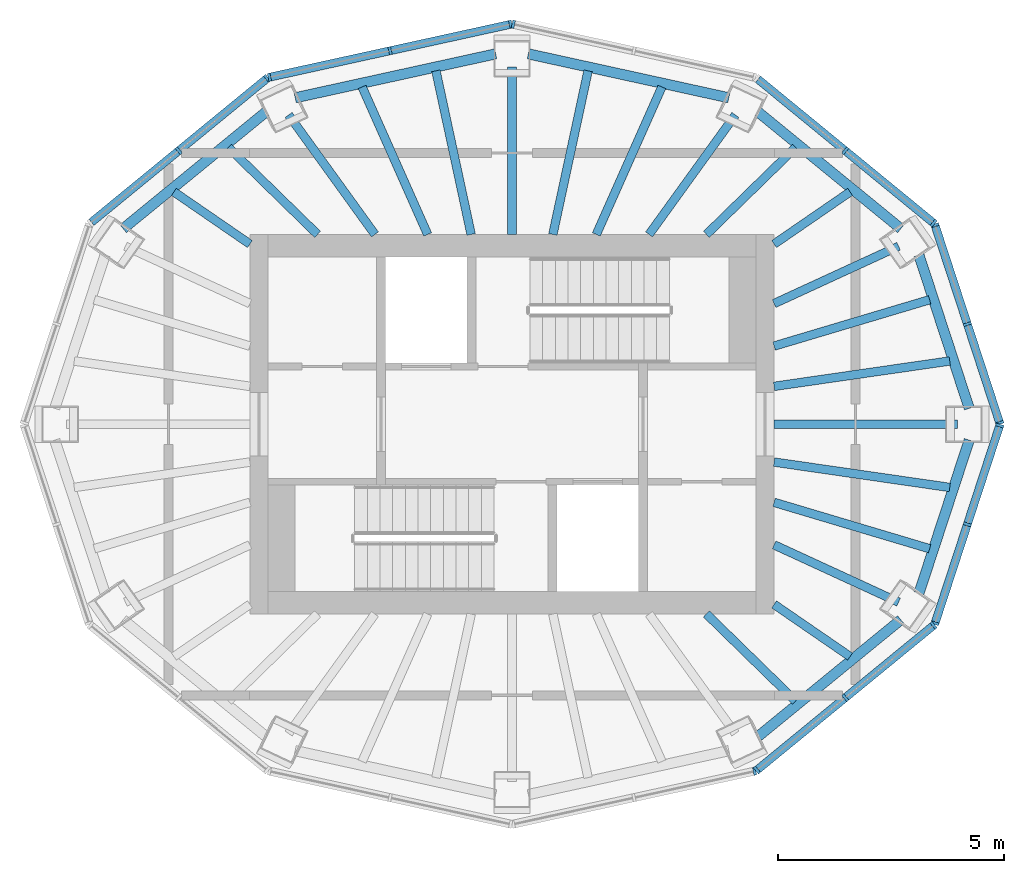
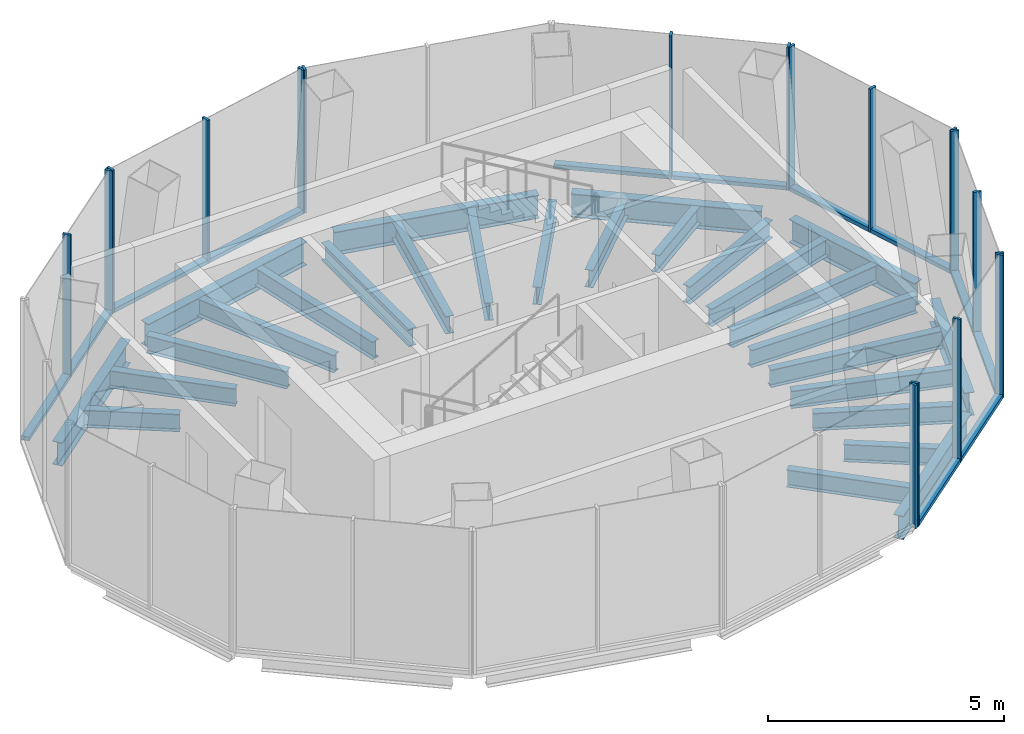
# One storey, part 2 of 5: 30 members, 27 beams, 8 elements without a shape of their own.
"""IFC4 building model written with IfcOpenShell, lengths in metres."""

from ifc_helpers import new_model, si_unit, direction, frame, origin, origin_2d, place, context, subcontext, project, spatial, rectangle, i_section, extrude, material, layer, layer_set, material_profile, profile_set, type_object, element, aggregate, save


model = new_model("IFC4")

# Units and contexts
model_context = context("Model", 3, precision=1e-05, world=origin(), true_north=direction((0.0, 1.0)))
body_context = subcontext(model_context, "Body", "Model", "MODEL_VIEW")
ifc_project = project(units=[si_unit("LENGTHUNIT", "METRE"), si_unit("AREAUNIT", "SQUARE_METRE"), si_unit("VOLUMEUNIT", "CUBIC_METRE"), si_unit("PLANEANGLEUNIT", "RADIAN"), si_unit("MASSUNIT", "GRAM", prefix="KILO")], contexts=[model_context])

# Site, building, storey
site_placement = place(None, origin())
site = spatial("IfcSite", under=ifc_project, at=site_placement, CompositionType="ELEMENT")
building_placement = place(site_placement, origin())
building = spatial("IfcBuilding", under=site, at=building_placement, Name="Siaravel Broadcast Tower", CompositionType="ELEMENT")
storey_placement = place(building_placement, frame((0.0, 0.0, 288.199951171875)))
storey = spatial("IfcBuildingStorey", under=building, at=storey_placement, Name="L70", CompositionType="ELEMENT", Elevation=288.199951171875)

# Curtain wall, members
ifc_material_1 = material(Name="Aluminium 6063-T6", Category="aluminium")
ifc_layer = layer(ifc_material_1, 0.179931640625)
ifc_layer_set = layer_set([ifc_layer], Name="Aluminium 6063-T6")
curtain_wall_type = type_object("IfcCurtainWallType", Name="Crown glass facet wall", PredefinedType="NOTDEFINED", material=ifc_layer_set)
curtain_wall_1_placement = place(storey_placement, origin())
curtain_wall_1 = element("IfcCurtainWall", 1, at=curtain_wall_1_placement, inside=storey, type_object=curtain_wall_type, Name="L70 Crown glass facet wall 01", PredefinedType="NOTDEFINED")
ifc_material_profile_1 = material_profile(ifc_material_1, rectangle(XDim=0.179931640625, YDim=0.06005859375, at=origin_2d()))
ifc_profile_set_1 = profile_set([ifc_material_profile_1], Name="Aluminium 6063-T6")
member_type_1 = type_object("IfcMemberType", Name="CW-CR mullion", PredefinedType="MULLION", material=ifc_profile_set_1)
member_1_placement = place(storey_placement, frame((10.79248046875, 0.028564453125, 0.0), z_axis=(0.0, 0.0, 1.0), x_axis=(-0.950457945, -0.310853173, 0.0)))
member_1 = element("IfcMember", 2, at=member_1_placement, type_object=member_type_1, Name="CW-CR mullion 1", PredefinedType="MULLION", context=body_context, shape_type="SweptSolid", body=[
    extrude(rectangle(XDim=0.179931640625, YDim=0.06005859375, at=origin_2d()), origin(), (0.0, 0.0, 1.0), 3.699951171875),
])
member_2_placement = place(storey_placement, frame((10.0771484375, 2.21630859375, 0.0), z_axis=(0.0, 0.0, 1.0), x_axis=(-0.950457945, -0.310853173, 0.0)))
member_2 = element("IfcMember", 3, at=member_2_placement, type_object=member_type_1, Name="CW-CR mullion 2", PredefinedType="MULLION", context=body_context, shape_type="SweptSolid", body=[
    extrude(rectangle(XDim=0.179931640625, YDim=0.06005859375, at=origin_2d()), origin(), (0.0, 0.0, 1.0), 3.699951171875),
])
member_3_placement = place(storey_placement, frame((9.361572265625, 4.40380859375, 0.0), z_axis=(0.0, 0.0, 1.0), x_axis=(-0.950457945, -0.310853173, 0.0)))
member_3 = element("IfcMember", 4, at=member_3_placement, type_object=member_type_1, Name="CW-CR mullion 3", PredefinedType="MULLION", context=body_context, shape_type="SweptSolid", body=[
    extrude(rectangle(XDim=0.179931640625, YDim=0.06005859375, at=origin_2d()), origin(), (0.0, 0.0, 1.0), 3.699951171875),
])

curtain_wall_2_placement = place(storey_placement, origin())
curtain_wall_2 = element("IfcCurtainWall", 5, at=curtain_wall_2_placement, inside=storey, type_object=curtain_wall_type, Name="L70 Crown glass facet wall 02", PredefinedType="NOTDEFINED")
member_4_placement = place(storey_placement, frame((9.3291015625, 4.451416015625, 0.0), z_axis=(0.0, 0.0, 1.0), x_axis=(-0.633718382, -0.773563838, 0.0)))
member_4 = element("IfcMember", 6, at=member_4_placement, type_object=member_type_1, Name="CW-CR mullion 1", PredefinedType="MULLION", context=body_context, shape_type="SweptSolid", body=[
    extrude(rectangle(XDim=0.179931640625, YDim=0.06005859375, at=origin_2d()), origin(), (0.0, 0.0, 1.0), 3.699951171875),
])
member_5_placement = place(storey_placement, frame((7.374755859375, 6.05224609375, 0.0), z_axis=(0.0, 0.0, 1.0), x_axis=(-0.633718382, -0.773563838, 0.0)))
member_5 = element("IfcMember", 7, at=member_5_placement, type_object=member_type_1, Name="CW-CR mullion 2", PredefinedType="MULLION", context=body_context, shape_type="SweptSolid", body=[
    extrude(rectangle(XDim=0.179931640625, YDim=0.06005859375, at=origin_2d()), origin(), (0.0, 0.0, 1.0), 3.699951171875),
])

# Curtain wall, member
curtain_wall_3_placement = place(storey_placement, origin())
curtain_wall_3 = element("IfcCurtainWall", 8, at=curtain_wall_3_placement, inside=storey, type_object=curtain_wall_type, Name="L70 Crown glass facet wall 03", PredefinedType="NOTDEFINED")
member_6_placement = place(storey_placement, frame((0.029296875, 8.8505859375, 0.0), z_axis=(0.0, 0.0, 1.0), x_axis=(-0.214396084, -0.976746804, 0.0)))
member_6 = element("IfcMember", 9, at=member_6_placement, type_object=member_type_1, Name="CW-CR mullion 3", PredefinedType="MULLION", context=body_context, shape_type="SweptSolid", body=[
    extrude(rectangle(XDim=0.179931640625, YDim=0.06005859375, at=origin_2d()), origin(), (0.0, 0.0, 1.0), 3.699951171875),
])
aggregate(curtain_wall_3, [member_6])

# Curtain wall, members
curtain_wall_4_placement = place(storey_placement, origin())
curtain_wall_4 = element("IfcCurtainWall", 10, at=curtain_wall_4_placement, inside=storey, type_object=curtain_wall_type, Name="L70 Crown glass facet wall 04", PredefinedType="NOTDEFINED")
member_7_placement = place(storey_placement, frame((-0.029296875, 8.8505859375, 0.0), z_axis=(0.0, 0.0, 1.0), x_axis=(0.214396084, -0.976746804, 0.0)))
member_7 = element("IfcMember", 11, at=member_7_placement, type_object=member_type_1, Name="CW-CR mullion 1", PredefinedType="MULLION", context=body_context, shape_type="SweptSolid", body=[
    extrude(rectangle(XDim=0.179931640625, YDim=0.06005859375, at=origin_2d()), origin(), (0.0, 0.0, 1.0), 3.699951171875),
])
member_8_placement = place(storey_placement, frame((-2.69873046875, 8.2646484375, 0.0), z_axis=(0.0, 0.0, 1.0), x_axis=(0.214396084, -0.976746804, 0.0)))
member_8 = element("IfcMember", 12, at=member_8_placement, type_object=member_type_1, Name="CW-CR mullion 2", PredefinedType="MULLION", context=body_context, shape_type="SweptSolid", body=[
    extrude(rectangle(XDim=0.179931640625, YDim=0.06005859375, at=origin_2d()), origin(), (0.0, 0.0, 1.0), 3.699951171875),
])
member_9_placement = place(storey_placement, frame((-5.367919921875, 7.6787109375, 0.0), z_axis=(0.0, 0.0, 1.0), x_axis=(0.214396084, -0.976746804, 0.0)))
member_9 = element("IfcMember", 13, at=member_9_placement, type_object=member_type_1, Name="CW-CR mullion 3", PredefinedType="MULLION", context=body_context, shape_type="SweptSolid", body=[
    extrude(rectangle(XDim=0.179931640625, YDim=0.06005859375, at=origin_2d()), origin(), (0.0, 0.0, 1.0), 3.699951171875),
])

curtain_wall_5_placement = place(storey_placement, origin())
curtain_wall_5 = element("IfcCurtainWall", 14, at=curtain_wall_5_placement, inside=storey, type_object=curtain_wall_type, Name="L70 Crown glass facet wall 05", PredefinedType="NOTDEFINED")
member_10_placement = place(storey_placement, frame((-5.42041015625, 7.6533203125, 0.0), z_axis=(0.0, 0.0, 1.0), x_axis=(0.633718382, -0.773563838, 0.0)))
member_10 = element("IfcMember", 15, at=member_10_placement, type_object=member_type_1, Name="CW-CR mullion 1", PredefinedType="MULLION", context=body_context, shape_type="SweptSolid", body=[
    extrude(rectangle(XDim=0.179931640625, YDim=0.06005859375, at=origin_2d()), origin(), (0.0, 0.0, 1.0), 3.699951171875),
])
member_11_placement = place(storey_placement, frame((-7.374755859375, 6.05224609375, 0.0), z_axis=(0.0, 0.0, 1.0), x_axis=(0.633718382, -0.773563838, 0.0)))
member_11 = element("IfcMember", 16, at=member_11_placement, type_object=member_type_1, Name="CW-CR mullion 2", PredefinedType="MULLION", context=body_context, shape_type="SweptSolid", body=[
    extrude(rectangle(XDim=0.179931640625, YDim=0.06005859375, at=origin_2d()), origin(), (0.0, 0.0, 1.0), 3.699951171875),
])

# Curtain wall, member
curtain_wall_6_placement = place(storey_placement, origin())
curtain_wall_6 = element("IfcCurtainWall", 17, at=curtain_wall_6_placement, inside=storey, type_object=curtain_wall_type, Name="L70 Crown glass facet wall 10", PredefinedType="NOTDEFINED")
member_12_placement = place(storey_placement, frame((5.367919921875, -7.6787109375, 0.0), z_axis=(0.0, 0.0, 1.0), x_axis=(-0.214396084, 0.976746804, 0.0)))
member_12 = element("IfcMember", 18, at=member_12_placement, type_object=member_type_1, Name="CW-CR mullion 3", PredefinedType="MULLION", context=body_context, shape_type="SweptSolid", body=[
    extrude(rectangle(XDim=0.179931640625, YDim=0.06005859375, at=origin_2d()), origin(), (0.0, 0.0, 1.0), 3.699951171875),
])
aggregate(curtain_wall_6, [member_12])

# Curtain wall, members
curtain_wall_7_placement = place(storey_placement, origin())
curtain_wall_7 = element("IfcCurtainWall", 19, at=curtain_wall_7_placement, inside=storey, type_object=curtain_wall_type, Name="L70 Crown glass facet wall 11", PredefinedType="NOTDEFINED")
member_13_placement = place(storey_placement, frame((5.42041015625, -7.6533203125, 0.0), z_axis=(0.0, 0.0, 1.0), x_axis=(-0.633718382, 0.773563838, 0.0)))
member_13 = element("IfcMember", 20, at=member_13_placement, type_object=member_type_1, Name="CW-CR mullion 1", PredefinedType="MULLION", context=body_context, shape_type="SweptSolid", body=[
    extrude(rectangle(XDim=0.179931640625, YDim=0.06005859375, at=origin_2d()), origin(), (0.0, 0.0, 1.0), 3.699951171875),
])
member_14_placement = place(storey_placement, frame((7.374755859375, -6.05224609375, 0.0), z_axis=(0.0, 0.0, 1.0), x_axis=(-0.633718382, 0.773563838, 0.0)))
member_14 = element("IfcMember", 21, at=member_14_placement, type_object=member_type_1, Name="CW-CR mullion 2", PredefinedType="MULLION", context=body_context, shape_type="SweptSolid", body=[
    extrude(rectangle(XDim=0.179931640625, YDim=0.06005859375, at=origin_2d()), origin(), (0.0, 0.0, 1.0), 3.699951171875),
])
member_15_placement = place(storey_placement, frame((9.3291015625, -4.451416015625, 0.0), z_axis=(0.0, 0.0, 1.0), x_axis=(-0.633718382, 0.773563838, 0.0)))
member_15 = element("IfcMember", 22, at=member_15_placement, type_object=member_type_1, Name="CW-CR mullion 3", PredefinedType="MULLION", context=body_context, shape_type="SweptSolid", body=[
    extrude(rectangle(XDim=0.179931640625, YDim=0.06005859375, at=origin_2d()), origin(), (0.0, 0.0, 1.0), 3.699951171875),
])

curtain_wall_8_placement = place(storey_placement, origin())
curtain_wall_8 = element("IfcCurtainWall", 23, at=curtain_wall_8_placement, inside=storey, type_object=curtain_wall_type, Name="L70 Crown glass facet wall 12", PredefinedType="NOTDEFINED")
member_16_placement = place(storey_placement, frame((9.361572265625, -4.40380859375, 0.0), z_axis=(0.0, 0.0, 1.0), x_axis=(-0.950457945, 0.310853173, 0.0)))
member_16 = element("IfcMember", 24, at=member_16_placement, type_object=member_type_1, Name="CW-CR mullion 1", PredefinedType="MULLION", context=body_context, shape_type="SweptSolid", body=[
    extrude(rectangle(XDim=0.179931640625, YDim=0.06005859375, at=origin_2d()), origin(), (0.0, 0.0, 1.0), 3.699951171875),
])
member_17_placement = place(storey_placement, frame((10.0771484375, -2.21630859375, 0.0), z_axis=(0.0, 0.0, 1.0), x_axis=(-0.950457945, 0.310853173, 0.0)))
member_17 = element("IfcMember", 25, at=member_17_placement, type_object=member_type_1, Name="CW-CR mullion 2", PredefinedType="MULLION", context=body_context, shape_type="SweptSolid", body=[
    extrude(rectangle(XDim=0.179931640625, YDim=0.06005859375, at=origin_2d()), origin(), (0.0, 0.0, 1.0), 3.699951171875),
])
member_18_placement = place(storey_placement, frame((10.79248046875, -0.028564453125, 0.0), z_axis=(0.0, 0.0, 1.0), x_axis=(-0.950457945, 0.310853173, 0.0)))
member_18 = element("IfcMember", 26, at=member_18_placement, type_object=member_type_1, Name="CW-CR mullion 3", PredefinedType="MULLION", context=body_context, shape_type="SweptSolid", body=[
    extrude(rectangle(XDim=0.179931640625, YDim=0.06005859375, at=origin_2d()), origin(), (0.0, 0.0, 1.0), 3.699951171875),
])

# Member
ifc_material_profile_2 = material_profile(ifc_material_1, rectangle(XDim=0.179931640625, YDim=0.10009765625, at=origin_2d()))
ifc_profile_set_2 = profile_set([ifc_material_profile_2], Name="Aluminium 6063-T6")
member_type_2 = type_object("IfcMemberType", Name="CW-CR transom", PredefinedType="USERDEFINED", material=ifc_profile_set_2)
member_19_placement = place(storey_placement, frame((10.783203125, 0.056884765625, 0.050048828125), z_axis=(-0.310831573, 0.950465009, 0.0), x_axis=(-0.950465009, -0.310831573, 0.0)))
member_19 = element("IfcMember", 27, at=member_19_placement, type_object=member_type_2, Name="CW-CR transom 1", ObjectType="TRANSOM", PredefinedType="USERDEFINED", context=body_context, shape_type="SweptSolid", body=[
    extrude(rectangle(XDim=0.179931640625, YDim=0.10009765625, at=origin_2d()), origin(), (0.0, 0.0, 1.0), 2.24169921875),
])

member_20_placement = place(storey_placement, frame((10.06787109375, 2.24462890625, 0.050048828125), z_axis=(-0.310929956, 0.950432829, 0.0), x_axis=(-0.950432829, -0.310929956, 0.0)))
member_20 = element("IfcMember", 28, at=member_20_placement, type_object=member_type_2, Name="CW-CR transom 2", ObjectType="TRANSOM", PredefinedType="USERDEFINED", context=body_context, shape_type="SweptSolid", body=[
    extrude(rectangle(XDim=0.179931640625, YDim=0.10009765625, at=origin_2d()), origin(), (0.0, 0.0, 1.0), 2.24169921875),
])

aggregate(curtain_wall_1, [member_1, member_2, member_3, member_19, member_20])

member_21_placement = place(storey_placement, frame((9.305908203125, 4.47021484375, 0.050048828125), z_axis=(-0.773573465, 0.633706631, 0.0), x_axis=(-0.633706631, -0.773573465, 0.0)))
member_21 = element("IfcMember", 29, at=member_21_placement, type_object=member_type_2, Name="CW-CR transom 1", ObjectType="TRANSOM", PredefinedType="USERDEFINED", context=body_context, shape_type="SweptSolid", body=[
    extrude(rectangle(XDim=0.179931640625, YDim=0.10009765625, at=origin_2d()), origin(), (0.0, 0.0, 1.0), 2.46630859375),
])

member_22_placement = place(storey_placement, frame((7.3515625, 6.0712890625, 0.050048828125), z_axis=(-0.773573465, 0.633706631, 0.0), x_axis=(-0.633706631, -0.773573465, 0.0)))
member_22 = element("IfcMember", 30, at=member_22_placement, type_object=member_type_2, Name="CW-CR transom 2", ObjectType="TRANSOM", PredefinedType="USERDEFINED", context=body_context, shape_type="SweptSolid", body=[
    extrude(rectangle(XDim=0.179931640625, YDim=0.10009765625, at=origin_2d()), origin(), (0.0, 0.0, 1.0), 2.46630859375),
])

aggregate(curtain_wall_2, [member_4, member_5, member_21, member_22])

member_23_placement = place(storey_placement, frame((-0.05859375, 8.843994140625, 0.050048828125), z_axis=(-0.976753206, -0.214366914, 0.0), x_axis=(0.214366914, -0.976753206, 0.0)))
member_23 = element("IfcMember", 31, at=member_23_placement, type_object=member_type_2, Name="CW-CR transom 1", ObjectType="TRANSOM", PredefinedType="USERDEFINED", context=body_context, shape_type="SweptSolid", body=[
    extrude(rectangle(XDim=0.179931640625, YDim=0.10009765625, at=origin_2d()), origin(), (0.0, 0.0, 1.0), 2.673095703125),
])

member_24_placement = place(storey_placement, frame((-2.72802734375, 8.25830078125, 0.050048828125), z_axis=(-0.976729877, -0.214473184, 0.0), x_axis=(0.214473184, -0.976729877, 0.0)))
member_24 = element("IfcMember", 32, at=member_24_placement, type_object=member_type_2, Name="CW-CR transom 2", ObjectType="TRANSOM", PredefinedType="USERDEFINED", context=body_context, shape_type="SweptSolid", body=[
    extrude(rectangle(XDim=0.179931640625, YDim=0.10009765625, at=origin_2d()), origin(), (0.0, 0.0, 1.0), 2.6728515625),
])

aggregate(curtain_wall_4, [member_7, member_8, member_9, member_23, member_24])

member_25_placement = place(storey_placement, frame((-5.443603515625, 7.63427734375, 0.050048828125), z_axis=(-0.773573465, -0.633706631, 0.0), x_axis=(0.633706631, -0.773573465, 0.0)))
member_25 = element("IfcMember", 33, at=member_25_placement, type_object=member_type_2, Name="CW-CR transom 1", ObjectType="TRANSOM", PredefinedType="USERDEFINED", context=body_context, shape_type="SweptSolid", body=[
    extrude(rectangle(XDim=0.179931640625, YDim=0.10009765625, at=origin_2d()), origin(), (0.0, 0.0, 1.0), 2.46630859375),
])

member_26_placement = place(storey_placement, frame((-7.39794921875, 6.033203125, 0.050048828125), z_axis=(-0.773573465, -0.633706631, 0.0), x_axis=(0.633706631, -0.773573465, 0.0)))
member_26 = element("IfcMember", 34, at=member_26_placement, type_object=member_type_2, Name="CW-CR transom 2", ObjectType="TRANSOM", PredefinedType="USERDEFINED", context=body_context, shape_type="SweptSolid", body=[
    extrude(rectangle(XDim=0.179931640625, YDim=0.10009765625, at=origin_2d()), origin(), (0.0, 0.0, 1.0), 2.46630859375),
])

aggregate(curtain_wall_5, [member_10, member_11, member_25, member_26])

member_27_placement = place(storey_placement, frame((5.443603515625, -7.63427734375, 0.050048828125), z_axis=(0.773573465, 0.633706631, 0.0), x_axis=(-0.633706631, 0.773573465, 0.0)))
member_27 = element("IfcMember", 35, at=member_27_placement, type_object=member_type_2, Name="CW-CR transom 1", ObjectType="TRANSOM", PredefinedType="USERDEFINED", context=body_context, shape_type="SweptSolid", body=[
    extrude(rectangle(XDim=0.179931640625, YDim=0.10009765625, at=origin_2d()), origin(), (0.0, 0.0, 1.0), 2.46630859375),
])

member_28_placement = place(storey_placement, frame((7.39794921875, -6.033203125, 0.050048828125), z_axis=(0.773573465, 0.633706631, 0.0), x_axis=(-0.633706631, 0.773573465, 0.0)))
member_28 = element("IfcMember", 36, at=member_28_placement, type_object=member_type_2, Name="CW-CR transom 2", ObjectType="TRANSOM", PredefinedType="USERDEFINED", context=body_context, shape_type="SweptSolid", body=[
    extrude(rectangle(XDim=0.179931640625, YDim=0.10009765625, at=origin_2d()), origin(), (0.0, 0.0, 1.0), 2.46630859375),
])

aggregate(curtain_wall_7, [member_13, member_14, member_15, member_27, member_28])

member_29_placement = place(storey_placement, frame((9.370849609375, -4.375244140625, 0.050048828125), z_axis=(0.310929956, 0.950432829, 0.0), x_axis=(-0.950432829, 0.310929956, 0.0)))
member_29 = element("IfcMember", 37, at=member_29_placement, type_object=member_type_2, Name="CW-CR transom 1", ObjectType="TRANSOM", PredefinedType="USERDEFINED", context=body_context, shape_type="SweptSolid", body=[
    extrude(rectangle(XDim=0.179931640625, YDim=0.10009765625, at=origin_2d()), origin(), (0.0, 0.0, 1.0), 2.24169921875),
])

member_30_placement = place(storey_placement, frame((10.08642578125, -2.1875, 0.050048828125), z_axis=(0.310831573, 0.950465009, 0.0), x_axis=(-0.950465009, 0.310831573, 0.0)))
member_30 = element("IfcMember", 38, at=member_30_placement, type_object=member_type_2, Name="CW-CR transom 2", ObjectType="TRANSOM", PredefinedType="USERDEFINED", context=body_context, shape_type="SweptSolid", body=[
    extrude(rectangle(XDim=0.179931640625, YDim=0.10009765625, at=origin_2d()), origin(), (0.0, 0.0, 1.0), 2.24169921875),
])

aggregate(curtain_wall_8, [member_16, member_17, member_18, member_29, member_30])

# Beams
ifc_material_2 = material(Name="Steel S355", Category="steel")
ifc_material_profile_3 = material_profile(ifc_material_2, i_section(OverallWidth=0.18994140625, OverallDepth=0.453369140625, WebThickness=0.008544921875, FlangeThickness=0.0126953125, FilletRadius=0.01025390625, at=origin_2d()))
ifc_profile_set_3 = profile_set([ifc_material_profile_3], Name="Steel S355")
beam_type_1 = type_object("IfcBeamType", Name="Crown radial beam UB 457x191x67", PredefinedType="BEAM", material=ifc_profile_set_3)
beam_1_placement = place(storey_placement, frame((9.86279296875, 0.0, -0.4267578125), z_axis=(-1.0, 0.0, 0.0), x_axis=(0.0, -1.0, 0.0)))
element("IfcBeam", 39, at=beam_1_placement, inside=storey, type_object=beam_type_1, Name="Crown radial beam 5-01", PredefinedType="BEAM", context=body_context, shape_type="SweptSolid", body=[
    extrude(i_section(OverallWidth=0.18994140625, OverallDepth=0.453369140625, WebThickness=0.008544921875, FlangeThickness=0.0126953125, FilletRadius=0.01025390625, at=origin_2d()), origin(), (0.0, 0.0, 1.0), 4.062744140625),
])
beam_2_placement = place(storey_placement, frame((9.68701171875, 1.399169921875, -0.4267578125), z_axis=(-0.989725718, -0.142979031, 0.0), x_axis=(0.142979031, -0.989725718, 0.0)))
element("IfcBeam", 40, at=beam_2_placement, inside=storey, type_object=beam_type_1, Name="Crown radial beam 5-02", PredefinedType="BEAM", context=body_context, shape_type="SweptSolid", body=[
    extrude(i_section(OverallWidth=0.18994140625, OverallDepth=0.453369140625, WebThickness=0.008544921875, FlangeThickness=0.0126953125, FilletRadius=0.01025390625, at=origin_2d()), origin(), (0.0, 0.0, 1.0), 3.92724609375),
])
beam_3_placement = place(storey_placement, frame((9.2412109375, 2.755126953125, -0.4267578125), z_axis=(-0.95832075, -0.285694487, 0.0), x_axis=(0.285694487, -0.95832075, 0.0)))
element("IfcBeam", 41, at=beam_3_placement, inside=storey, type_object=beam_type_1, Name="Crown radial beam 5-03", PredefinedType="BEAM", context=body_context, shape_type="SweptSolid", body=[
    extrude(i_section(OverallWidth=0.18994140625, OverallDepth=0.453369140625, WebThickness=0.008544921875, FlangeThickness=0.0126953125, FilletRadius=0.01025390625, at=origin_2d()), origin(), (0.0, 0.0, 1.0), 3.5908203125),
])
beam_4_placement = place(storey_placement, frame((8.5546875, 3.9375, -0.4267578125), z_axis=(-0.908404234, -0.418092988, 0.0), x_axis=(0.418092988, -0.908404234, 0.0)))
element("IfcBeam", 42, at=beam_4_placement, inside=storey, type_object=beam_type_1, Name="Crown radial beam 5-04", PredefinedType="BEAM", context=body_context, shape_type="SweptSolid", body=[
    extrude(i_section(OverallWidth=0.18994140625, OverallDepth=0.453369140625, WebThickness=0.008544921875, FlangeThickness=0.0126953125, FilletRadius=0.01025390625, at=origin_2d()), origin(), (0.0, 0.0, 1.0), 3.032470703125),
])
beam_5_placement = place(storey_placement, frame((7.480712890625, 5.1416015625, -0.4267578125), z_axis=(-0.824083836, -0.566467855, 0.0), x_axis=(0.566467855, -0.824083836, 0.0)))
element("IfcBeam", 43, at=beam_5_placement, inside=storey, type_object=beam_type_1, Name="Crown radial beam 5-05", PredefinedType="BEAM", context=body_context, shape_type="SweptSolid", body=[
    extrude(i_section(OverallWidth=0.18994140625, OverallDepth=0.453369140625, WebThickness=0.008544921875, FlangeThickness=0.0126953125, FilletRadius=0.01025390625, at=origin_2d()), origin(), (0.0, 0.0, 1.0), 2.03955078125),
])
beam_6_placement = place(storey_placement, frame((6.27392578125, 6.12451171875, -0.4267578125), z_axis=(-0.715562605, -0.698548609, 0.0), x_axis=(0.698548609, -0.715562605, 0.0)))
element("IfcBeam", 44, at=beam_6_placement, inside=storey, type_object=beam_type_1, Name="Crown radial beam 5-06", PredefinedType="BEAM", context=body_context, shape_type="SweptSolid", body=[
    extrude(i_section(OverallWidth=0.18994140625, OverallDepth=0.453369140625, WebThickness=0.008544921875, FlangeThickness=0.0126953125, FilletRadius=0.01025390625, at=origin_2d()), origin(), (0.0, 0.0, 1.0), 2.755126953125),
])
beam_7_placement = place(storey_placement, frame((4.942626953125, 6.84375, -0.4267578125), z_axis=(-0.585444085, -0.810712787, 0.0), x_axis=(0.810712787, -0.585444085, 0.0)))
element("IfcBeam", 45, at=beam_7_placement, inside=storey, type_object=beam_type_1, Name="Crown radial beam 5-07", PredefinedType="BEAM", context=body_context, shape_type="SweptSolid", body=[
    extrude(i_section(OverallWidth=0.18994140625, OverallDepth=0.453369140625, WebThickness=0.008544921875, FlangeThickness=0.0126953125, FilletRadius=0.01025390625, at=origin_2d()), origin(), (0.0, 0.0, 1.0), 3.260986328125),
])
beam_8_placement = place(storey_placement, frame((3.31640625, 7.463623046875, -0.4267578125), z_axis=(-0.406062352, -0.913845373, 0.0), x_axis=(0.913845373, -0.406062352, 0.0)))
element("IfcBeam", 46, at=beam_8_placement, inside=storey, type_object=beam_type_1, Name="Crown radial beam 5-08", PredefinedType="BEAM", context=body_context, shape_type="SweptSolid", body=[
    extrude(i_section(OverallWidth=0.18994140625, OverallDepth=0.453369140625, WebThickness=0.008544921875, FlangeThickness=0.0126953125, FilletRadius=0.01025390625, at=origin_2d()), origin(), (0.0, 0.0, 1.0), 3.5712890625),
])
beam_9_placement = place(storey_placement, frame((1.683349609375, 7.81982421875, -0.4267578125), z_axis=(-0.210461074, -0.977602238, 0.0), x_axis=(0.977602238, -0.210461074, 0.0)))
element("IfcBeam", 47, at=beam_9_placement, inside=storey, type_object=beam_type_1, Name="Crown radial beam 5-09", PredefinedType="BEAM", context=body_context, shape_type="SweptSolid", body=[
    extrude(i_section(OverallWidth=0.18994140625, OverallDepth=0.453369140625, WebThickness=0.008544921875, FlangeThickness=0.0126953125, FilletRadius=0.01025390625, at=origin_2d()), origin(), (0.0, 0.0, 1.0), 3.702880859375),
])
beam_10_placement = place(storey_placement, frame((0.0, 7.90478515625, -0.4267578125), z_axis=(0.0, -1.0, 0.0), x_axis=(1.0, 0.0, 0.0)))
element("IfcBeam", 48, at=beam_10_placement, inside=storey, type_object=beam_type_1, Name="Crown radial beam 5-10", PredefinedType="BEAM", context=body_context, shape_type="SweptSolid", body=[
    extrude(i_section(OverallWidth=0.18994140625, OverallDepth=0.453369140625, WebThickness=0.008544921875, FlangeThickness=0.0126953125, FilletRadius=0.01025390625, at=origin_2d()), origin(), (0.0, 0.0, 1.0), 3.704833984375),
])
beam_11_placement = place(storey_placement, frame((-1.683349609375, 7.81982421875, -0.4267578125), z_axis=(0.210461074, -0.977602238, 0.0), x_axis=(0.977602238, 0.210461074, 0.0)))
element("IfcBeam", 49, at=beam_11_placement, inside=storey, type_object=beam_type_1, Name="Crown radial beam 5-11", PredefinedType="BEAM", context=body_context, shape_type="SweptSolid", body=[
    extrude(i_section(OverallWidth=0.18994140625, OverallDepth=0.453369140625, WebThickness=0.008544921875, FlangeThickness=0.0126953125, FilletRadius=0.01025390625, at=origin_2d()), origin(), (0.0, 0.0, 1.0), 3.702880859375),
])
beam_12_placement = place(storey_placement, frame((-3.31640625, 7.463623046875, -0.4267578125), z_axis=(0.406062352, -0.913845373, 0.0), x_axis=(0.913845373, 0.406062352, 0.0)))
element("IfcBeam", 50, at=beam_12_placement, inside=storey, type_object=beam_type_1, Name="Crown radial beam 5-12", PredefinedType="BEAM", context=body_context, shape_type="SweptSolid", body=[
    extrude(i_section(OverallWidth=0.18994140625, OverallDepth=0.453369140625, WebThickness=0.008544921875, FlangeThickness=0.0126953125, FilletRadius=0.01025390625, at=origin_2d()), origin(), (0.0, 0.0, 1.0), 3.5712890625),
])
beam_13_placement = place(storey_placement, frame((-4.942626953125, 6.84375, -0.4267578125), z_axis=(0.585444085, -0.810712787, 0.0), x_axis=(0.810712787, 0.585444085, 0.0)))
element("IfcBeam", 51, at=beam_13_placement, inside=storey, type_object=beam_type_1, Name="Crown radial beam 5-13", PredefinedType="BEAM", context=body_context, shape_type="SweptSolid", body=[
    extrude(i_section(OverallWidth=0.18994140625, OverallDepth=0.453369140625, WebThickness=0.008544921875, FlangeThickness=0.0126953125, FilletRadius=0.01025390625, at=origin_2d()), origin(), (0.0, 0.0, 1.0), 3.260986328125),
])
beam_14_placement = place(storey_placement, frame((-6.27392578125, 6.12451171875, -0.4267578125), z_axis=(0.715562605, -0.698548609, 0.0), x_axis=(0.698548609, 0.715562605, 0.0)))
element("IfcBeam", 52, at=beam_14_placement, inside=storey, type_object=beam_type_1, Name="Crown radial beam 5-14", PredefinedType="BEAM", context=body_context, shape_type="SweptSolid", body=[
    extrude(i_section(OverallWidth=0.18994140625, OverallDepth=0.453369140625, WebThickness=0.008544921875, FlangeThickness=0.0126953125, FilletRadius=0.01025390625, at=origin_2d()), origin(), (0.0, 0.0, 1.0), 2.755126953125),
])
beam_15_placement = place(storey_placement, frame((-7.480712890625, 5.1416015625, -0.4267578125), z_axis=(0.824083836, -0.566467855, 0.0), x_axis=(0.566467855, 0.824083836, 0.0)))
element("IfcBeam", 53, at=beam_15_placement, inside=storey, type_object=beam_type_1, Name="Crown radial beam 5-15", PredefinedType="BEAM", context=body_context, shape_type="SweptSolid", body=[
    extrude(i_section(OverallWidth=0.18994140625, OverallDepth=0.453369140625, WebThickness=0.008544921875, FlangeThickness=0.0126953125, FilletRadius=0.01025390625, at=origin_2d()), origin(), (0.0, 0.0, 1.0), 2.03955078125),
])
beam_16_placement = place(storey_placement, frame((6.27392578125, -6.12451171875, -0.4267578125), z_axis=(-0.715562605, 0.698548609, 0.0), x_axis=(-0.698548609, -0.715562605, 0.0)))
element("IfcBeam", 54, at=beam_16_placement, inside=storey, type_object=beam_type_1, Name="Crown radial beam 5-32", PredefinedType="BEAM", context=body_context, shape_type="SweptSolid", body=[
    extrude(i_section(OverallWidth=0.18994140625, OverallDepth=0.453369140625, WebThickness=0.008544921875, FlangeThickness=0.0126953125, FilletRadius=0.01025390625, at=origin_2d()), origin(), (0.0, 0.0, 1.0), 2.755126953125),
])
beam_17_placement = place(storey_placement, frame((7.480712890625, -5.1416015625, -0.4267578125), z_axis=(-0.824083836, 0.566467855, 0.0), x_axis=(-0.566467855, -0.824083836, 0.0)))
element("IfcBeam", 55, at=beam_17_placement, inside=storey, type_object=beam_type_1, Name="Crown radial beam 5-33", PredefinedType="BEAM", context=body_context, shape_type="SweptSolid", body=[
    extrude(i_section(OverallWidth=0.18994140625, OverallDepth=0.453369140625, WebThickness=0.008544921875, FlangeThickness=0.0126953125, FilletRadius=0.01025390625, at=origin_2d()), origin(), (0.0, 0.0, 1.0), 2.03955078125),
])
beam_18_placement = place(storey_placement, frame((8.5546875, -3.9375, -0.4267578125), z_axis=(-0.908404234, 0.418092988, 0.0), x_axis=(-0.418092988, -0.908404234, 0.0)))
element("IfcBeam", 56, at=beam_18_placement, inside=storey, type_object=beam_type_1, Name="Crown radial beam 5-34", PredefinedType="BEAM", context=body_context, shape_type="SweptSolid", body=[
    extrude(i_section(OverallWidth=0.18994140625, OverallDepth=0.453369140625, WebThickness=0.008544921875, FlangeThickness=0.0126953125, FilletRadius=0.01025390625, at=origin_2d()), origin(), (0.0, 0.0, 1.0), 3.032470703125),
])
beam_19_placement = place(storey_placement, frame((9.2412109375, -2.755126953125, -0.4267578125), z_axis=(-0.95832075, 0.285694487, 0.0), x_axis=(-0.285694487, -0.95832075, 0.0)))
element("IfcBeam", 57, at=beam_19_placement, inside=storey, type_object=beam_type_1, Name="Crown radial beam 5-35", PredefinedType="BEAM", context=body_context, shape_type="SweptSolid", body=[
    extrude(i_section(OverallWidth=0.18994140625, OverallDepth=0.453369140625, WebThickness=0.008544921875, FlangeThickness=0.0126953125, FilletRadius=0.01025390625, at=origin_2d()), origin(), (0.0, 0.0, 1.0), 3.5908203125),
])
beam_20_placement = place(storey_placement, frame((9.68701171875, -1.399169921875, -0.4267578125), z_axis=(-0.989725718, 0.142979031, 0.0), x_axis=(-0.142979031, -0.989725718, 0.0)))
element("IfcBeam", 58, at=beam_20_placement, inside=storey, type_object=beam_type_1, Name="Crown radial beam 5-36", PredefinedType="BEAM", context=body_context, shape_type="SweptSolid", body=[
    extrude(i_section(OverallWidth=0.18994140625, OverallDepth=0.453369140625, WebThickness=0.008544921875, FlangeThickness=0.0126953125, FilletRadius=0.01025390625, at=origin_2d()), origin(), (0.0, 0.0, 1.0), 3.92724609375),
])
ifc_material_profile_4 = material_profile(ifc_material_2, i_section(OverallWidth=0.2275390625, OverallDepth=0.6025390625, WebThickness=0.010498046875, FlangeThickness=0.014892578125, FilletRadius=0.0126953125, at=origin_2d()))
ifc_profile_set_4 = profile_set([ifc_material_profile_4], Name="Steel S355")
beam_type_2 = type_object("IfcBeamType", Name="Crown ring beam UB 610x229x101", PredefinedType="SPANDREL", material=ifc_profile_set_4)
beam_21_placement = place(storey_placement, frame((10.117431640625, 0.3515625, -0.501220703125), z_axis=(-0.311583092, 0.95021891, 0.0), x_axis=(-0.95021891, -0.311583092, 0.0)))
element("IfcBeam", 59, at=beam_21_placement, inside=storey, type_object=beam_type_2, Name="Crown ring beam 5-01", PredefinedType="SPANDREL", context=body_context, shape_type="SweptSolid", body=[
    extrude(i_section(OverallWidth=0.2275390625, OverallDepth=0.6025390625, WebThickness=0.010498046875, FlangeThickness=0.014892578125, FilletRadius=0.0126953125, at=origin_2d()), origin(), (0.0, 0.0, 1.0), 3.566650390625),
])
beam_22_placement = place(storey_placement, frame((8.604248046875, 4.326416015625, -0.501220703125), z_axis=(-0.774098576, 0.633065079, 0.0), x_axis=(-0.633065079, -0.774098576, 0.0)))
element("IfcBeam", 60, at=beam_22_placement, inside=storey, type_object=beam_type_2, Name="Crown ring beam 5-02", PredefinedType="SPANDREL", context=body_context, shape_type="SweptSolid", body=[
    extrude(i_section(OverallWidth=0.2275390625, OverallDepth=0.6025390625, WebThickness=0.010498046875, FlangeThickness=0.014892578125, FilletRadius=0.0126953125, at=origin_2d()), origin(), (0.0, 0.0, 1.0), 4.080078125),
])
for number, where, z_axis, x_axis, name in (
    (61, (4.7978515625, 7.222900390625, -0.501220703125), (-0.97680032, 0.214152128, 0.0), (-0.214152128, -0.97680032, 0.0), "Crown ring beam 5-03"),
    (62, (-0.361328125, 8.195556640625, -0.501220703125), (-0.97680032, -0.214152128, 0.0), (0.214152128, -0.97680032, 0.0), "Crown ring beam 5-04"),
):
    element("IfcBeam", number, at=place(storey_placement, frame(where, z_axis=z_axis, x_axis=x_axis)), inside=storey, type_object=beam_type_2, Name=name, PredefinedType="SPANDREL", context=body_context, shape_type="SweptSolid", body=[
        extrude(i_section(OverallWidth=0.2275390625, OverallDepth=0.6025390625, WebThickness=0.010498046875, FlangeThickness=0.014892578125, FilletRadius=0.0126953125, at=origin_2d()), origin(), (0.0, 0.0, 1.0), 4.5419921875),
    ])
for number, where, z_axis, x_axis, name in (
    (63, (-5.44580078125, 6.909423828125, -0.501220703125), (-0.774098576, -0.633065079, 0.0), (0.633065079, -0.774098576, 0.0), "Crown ring beam 5-05"),
    (64, (5.44580078125, -6.909423828125, -0.501220703125), (0.774098576, 0.633065079, 0.0), (-0.633065079, 0.774098576, 0.0), "Crown ring beam 5-11"),
):
    element("IfcBeam", number, at=place(storey_placement, frame(where, z_axis=z_axis, x_axis=x_axis)), inside=storey, type_object=beam_type_2, Name=name, PredefinedType="SPANDREL", context=body_context, shape_type="SweptSolid", body=[
        extrude(i_section(OverallWidth=0.2275390625, OverallDepth=0.6025390625, WebThickness=0.010498046875, FlangeThickness=0.014892578125, FilletRadius=0.0126953125, at=origin_2d()), origin(), (0.0, 0.0, 1.0), 4.080078125),
    ])
beam_23_placement = place(storey_placement, frame((9.006103515625, -3.74072265625, -0.501220703125), z_axis=(0.311583092, 0.95021891, 0.0), x_axis=(-0.95021891, 0.311583092, 0.0)))
element("IfcBeam", 65, at=beam_23_placement, inside=storey, type_object=beam_type_2, Name="Crown ring beam 5-12", PredefinedType="SPANDREL", context=body_context, shape_type="SweptSolid", body=[
    extrude(i_section(OverallWidth=0.2275390625, OverallDepth=0.6025390625, WebThickness=0.010498046875, FlangeThickness=0.014892578125, FilletRadius=0.0126953125, at=origin_2d()), origin(), (0.0, 0.0, 1.0), 3.566650390625),
])

save(model, "model.ifc")
